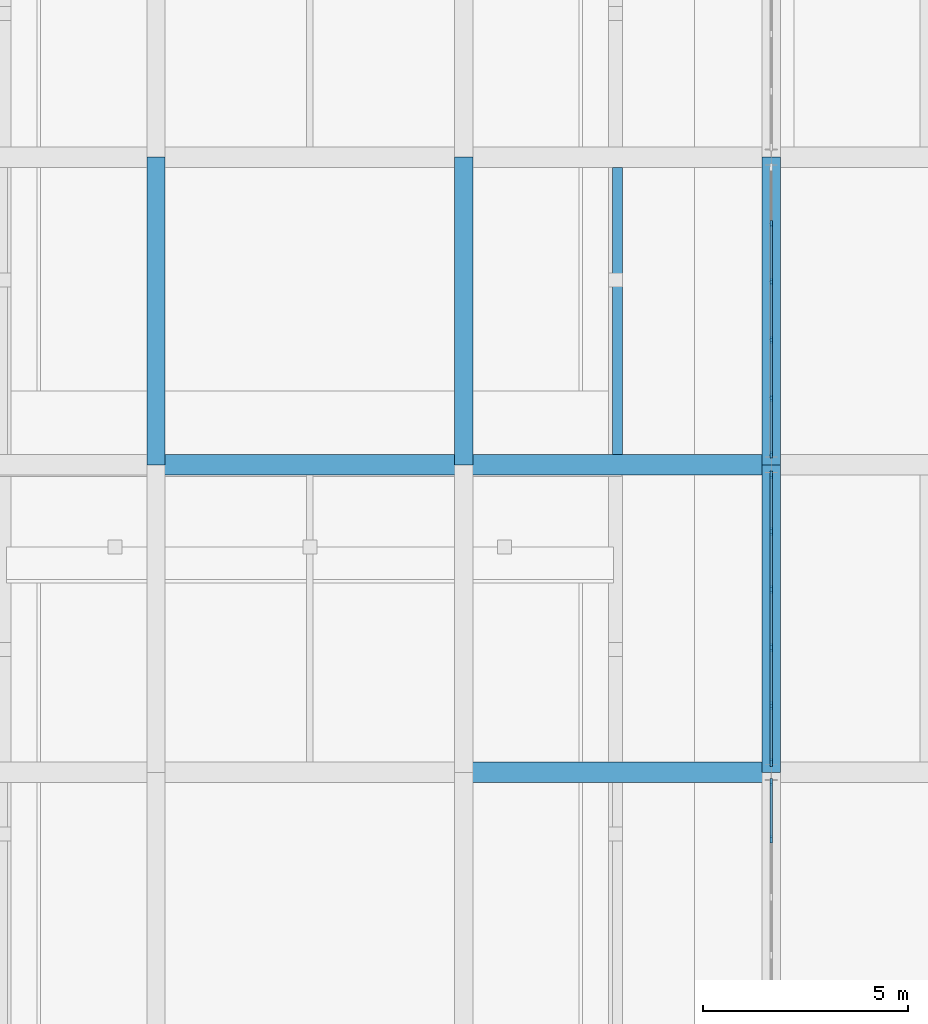
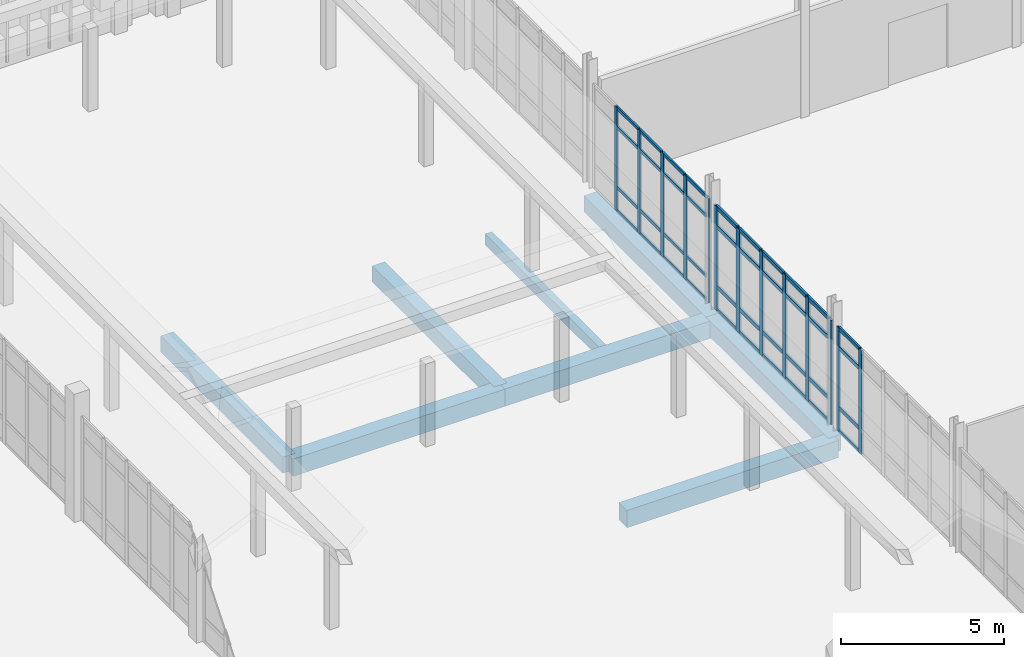
# One storey, part 28 of 125: 53 members, 8 beams, 3 elements without a shape of their own.
"""IFC4 building model written with IfcOpenShell, lengths in metres."""

from ifc_helpers import new_model, si_unit, direction, frame, origin, origin_2d, place, context, subcontext, project, spatial, rectangle, extrude, material, layer, layer_set, material_profile, profile_set, type_object, element, aggregate, save


model = new_model("IFC4")

# Units and contexts
model_context = context("Model", 3, precision=1e-05, world=origin(), true_north=direction((0.0, 1.0)))
body_context = subcontext(model_context, "Body", "Model", "MODEL_VIEW")
ifc_project = project(units=[si_unit("LENGTHUNIT", "METRE"), si_unit("AREAUNIT", "SQUARE_METRE"), si_unit("VOLUMEUNIT", "CUBIC_METRE"), si_unit("PLANEANGLEUNIT", "RADIAN"), si_unit("MASSUNIT", "GRAM", prefix="KILO")], contexts=[model_context])

# Site, building, storey
site_placement = place(None, origin())
site = spatial("IfcSite", under=ifc_project, at=site_placement, CompositionType="ELEMENT")
building_placement = place(site_placement, origin())
building = spatial("IfcBuilding", under=site, at=building_placement, Name="Dalvernix Boulevard General Hospital", CompositionType="ELEMENT")
storey_placement = place(building_placement, origin())
storey = spatial("IfcBuildingStorey", under=building, at=storey_placement, Name="L00", CompositionType="ELEMENT", Elevation=0.0)

# Beams
ifc_material_1 = material(Name="Concrete C35/45", Category="concrete")
ifc_material_profile_1 = material_profile(ifc_material_1, rectangle(XDim=0.5, YDim=0.64990234375, at=origin_2d()), Name="RCB 500x650")
ifc_profile_set_1 = profile_set([ifc_material_profile_1], Name="Concrete C35/45")
beam_type_1 = type_object("IfcBeamType", Name="BM-B-02-I", PredefinedType="BEAM", material=ifc_profile_set_1)
for number, where, z_axis, x_axis, name in (
    (1, (52.5, 46.5, -0.68505859375), (1.0, 0.0, 0.0), (0.0, 1.0, 0.0), "L00 E-W girder G:8-9"),
    (2, (45.0, 54.0, -0.68505859375), (1.0, 0.0, 0.0), (0.0, 1.0, 0.0), "L00 E-W girder H:7-8"),
    (3, (52.5, 54.0, -0.68505859375), (1.0, 0.0, 0.0), (0.0, 1.0, 0.0), "L00 E-W girder H:8-9"),
):
    element("IfcBeam", number, at=place(storey_placement, frame(where, z_axis=z_axis, x_axis=x_axis)), inside=storey, type_object=beam_type_1, Name=name, PredefinedType="BEAM", context=body_context, shape_type="SweptSolid", body=[
        extrude(rectangle(XDim=0.5, YDim=0.64990234375, at=origin_2d()), origin(), (0.0, 0.0, 1.0), 7.5),
    ])
ifc_material_profile_2 = material_profile(ifc_material_1, rectangle(XDim=0.449951171875, YDim=0.60009765625, at=origin_2d()), Name="RCB 450x600")
ifc_profile_set_2 = profile_set([ifc_material_profile_2], Name="Concrete C35/45")
beam_type_2 = type_object("IfcBeamType", Name="BM-B-04-I", PredefinedType="BEAM", material=ifc_profile_set_2)
for number, where, z_axis, x_axis, name in (
    (4, (45.0, 54.0, -0.659912109375), (0.0, 1.0, 0.0), (-1.0, 0.0, 0.0), "L00 N-S girder 7:H-J"),
    (5, (52.5, 54.0, -0.659912109375), (0.0, 1.0, 0.0), (-1.0, 0.0, 0.0), "L00 N-S girder 8:H-J"),
    (6, (60.0, 46.5, -0.659912109375), (0.0, 1.0, 0.0), (-1.0, 0.0, 0.0), "L00 N-S girder 9:G-H"),
    (7, (60.0, 54.0, -0.659912109375), (0.0, 1.0, 0.0), (-1.0, 0.0, 0.0), "L00 N-S girder 9:H-J"),
):
    element("IfcBeam", number, at=place(storey_placement, frame(where, z_axis=z_axis, x_axis=x_axis)), inside=storey, type_object=beam_type_2, Name=name, PredefinedType="BEAM", context=body_context, shape_type="SweptSolid", body=[
        extrude(rectangle(XDim=0.449951171875, YDim=0.60009765625, at=origin_2d()), origin(), (0.0, 0.0, 1.0), 7.5),
    ])
ifc_material_profile_3 = material_profile(ifc_material_1, rectangle(XDim=0.25, YDim=0.39990234375, at=origin_2d()), Name="RCB 250x400")
ifc_profile_set_3 = profile_set([ifc_material_profile_3], Name="Concrete C35/45")
beam_type_3 = type_object("IfcBeamType", Name="BM-JB-02", PredefinedType="JOIST", material=ifc_profile_set_3)
beam_placement = place(storey_placement, frame((56.25, 54.25, -0.56005859375), z_axis=(0.0, 1.0, 0.0), x_axis=(-1.0, 0.0, 0.0)))
element("IfcBeam", 8, at=beam_placement, inside=storey, type_object=beam_type_3, Name="L00 secondary floor beam 8-H", PredefinedType="JOIST", context=body_context, shape_type="SweptSolid", body=[
    extrude(rectangle(XDim=0.25, YDim=0.39990234375, at=origin_2d()), origin(), (0.0, 0.0, 1.0), 7.0),
])

# Curtain wall, members
ifc_material_2 = material(Name="Thermally broken aluminium and solar-control glass curtain wall", Category="aluminium")
ifc_layer_1 = layer(ifc_material_2, 0.159912109375)
ifc_layer_set_1 = layer_set([ifc_layer_1], Name="Thermally broken aluminium and solar-control glass curtain wall (CW-CW-A-71x39)")
curtain_wall_type_1 = type_object("IfcCurtainWallType", Name="CW-CW-A-71x39", PredefinedType="USERDEFINED", material=ifc_layer_set_1)
curtain_wall_1_placement = place(storey_placement, origin())
curtain_wall_1 = element("IfcCurtainWall", 9, at=curtain_wall_1_placement, inside=storey, type_object=curtain_wall_type_1, Name="L00 curtain wall CW-A-71x39 8-7", ObjectType="GLAZED FACADE", PredefinedType="USERDEFINED")
ifc_material_3 = material(Name="Aluminium EN AW-6060", Category="aluminium")
ifc_material_profile_4 = material_profile(ifc_material_3, rectangle(XDim=0.06005859375, YDim=0.159912109375, at=origin_2d()), Name="ALU MULL 60x160")
ifc_profile_set_4 = profile_set([ifc_material_profile_4], Name="Aluminium EN AW-6060")
member_type_1 = type_object("IfcMemberType", Name="MEM-CW-M1", PredefinedType="MULLION", material=ifc_profile_set_4)
member_1_placement = place(storey_placement, frame((60.0, 54.239990234375, 0.0), z_axis=(0.0, 0.0, 1.0), x_axis=(-1.0, 0.0, 0.0)))
member_1 = element("IfcMember", 10, at=member_1_placement, type_object=member_type_1, Name="CW-A-71x39 mullion 1", PredefinedType="MULLION", context=body_context, shape_type="SweptSolid", body=[
    extrude(rectangle(XDim=0.06005859375, YDim=0.159912109375, at=origin_2d()), origin(), (0.0, 0.0, 1.0), 3.89990234375),
])
member_2_placement = place(storey_placement, frame((60.0, 55.6259765625, 0.0), z_axis=(0.0, 0.0, 1.0), x_axis=(-1.0, 0.0, 0.0)))
member_2 = element("IfcMember", 11, at=member_2_placement, type_object=member_type_1, Name="CW-A-71x39 mullion 2", PredefinedType="MULLION", context=body_context, shape_type="SweptSolid", body=[
    extrude(rectangle(XDim=0.06005859375, YDim=0.159912109375, at=origin_2d()), origin(), (0.0, 0.0, 1.0), 3.89990234375),
])
member_3_placement = place(storey_placement, frame((60.0, 57.0419921875, 0.0), z_axis=(0.0, 0.0, 1.0), x_axis=(-1.0, 0.0, 0.0)))
member_3 = element("IfcMember", 12, at=member_3_placement, type_object=member_type_1, Name="CW-A-71x39 mullion 3", PredefinedType="MULLION", context=body_context, shape_type="SweptSolid", body=[
    extrude(rectangle(XDim=0.06005859375, YDim=0.159912109375, at=origin_2d()), origin(), (0.0, 0.0, 1.0), 3.89990234375),
])
member_4_placement = place(storey_placement, frame((60.0, 58.4580078125, 0.0), z_axis=(0.0, 0.0, 1.0), x_axis=(-1.0, 0.0, 0.0)))
member_4 = element("IfcMember", 13, at=member_4_placement, type_object=member_type_1, Name="CW-A-71x39 mullion 4", PredefinedType="MULLION", context=body_context, shape_type="SweptSolid", body=[
    extrude(rectangle(XDim=0.06005859375, YDim=0.159912109375, at=origin_2d()), origin(), (0.0, 0.0, 1.0), 3.89990234375),
])
member_5_placement = place(storey_placement, frame((60.0, 59.8740234375, 0.0), z_axis=(0.0, 0.0, 1.0), x_axis=(-1.0, 0.0, 0.0)))
member_5 = element("IfcMember", 14, at=member_5_placement, type_object=member_type_1, Name="CW-A-71x39 mullion 5", PredefinedType="MULLION", context=body_context, shape_type="SweptSolid", body=[
    extrude(rectangle(XDim=0.06005859375, YDim=0.159912109375, at=origin_2d()), origin(), (0.0, 0.0, 1.0), 3.89990234375),
])

ifc_layer_2 = layer(ifc_material_2, 0.179931640625)
ifc_layer_set_2 = layer_set([ifc_layer_2], Name="Thermally broken aluminium and solar-control glass curtain wall (CW-CW-B-71x39)")
curtain_wall_type_2 = type_object("IfcCurtainWallType", Name="CW-CW-B-71x39", PredefinedType="USERDEFINED", material=ifc_layer_set_2)
curtain_wall_2_placement = place(storey_placement, origin())
curtain_wall_2 = element("IfcCurtainWall", 15, at=curtain_wall_2_placement, inside=storey, type_object=curtain_wall_type_2, Name="L00 curtain wall CW-B-71x39 8-5", ObjectType="GLAZED FACADE", PredefinedType="USERDEFINED")
ifc_material_profile_5 = material_profile(ifc_material_3, rectangle(XDim=0.06494140625, YDim=0.179931640625, at=origin_2d()), Name="ALU MULL 65x180")
ifc_profile_set_5 = profile_set([ifc_material_profile_5], Name="Aluminium EN AW-6060")
member_type_2 = type_object("IfcMemberType", Name="MEM-CW-M2", PredefinedType="MULLION", material=ifc_profile_set_5)
member_6_placement = place(storey_placement, frame((60.0, 44.8740234375, 0.0), z_axis=(0.0, 0.0, 1.0), x_axis=(-1.0, 0.0, 0.0)))
member_6 = element("IfcMember", 16, at=member_6_placement, type_object=member_type_2, Name="CW-B-71x39 mullion 5", PredefinedType="MULLION", context=body_context, shape_type="SweptSolid", body=[
    extrude(rectangle(XDim=0.06494140625, YDim=0.179931640625, at=origin_2d()), origin(), (0.0, 0.0, 1.0), 3.89990234375),
])
member_7_placement = place(storey_placement, frame((60.0, 46.257568359375, 0.0), z_axis=(0.0, 0.0, 1.0), x_axis=(-1.0, 0.0, 0.0)))
member_7 = element("IfcMember", 17, at=member_7_placement, type_object=member_type_2, Name="CW-B-71x39 mullion 6", PredefinedType="MULLION", context=body_context, shape_type="SweptSolid", body=[
    extrude(rectangle(XDim=0.06494140625, YDim=0.179931640625, at=origin_2d()), origin(), (0.0, 0.0, 1.0), 3.89990234375),
])

ifc_layer_3 = layer(ifc_material_2, 0.199951171875)
ifc_layer_set_3 = layer_set([ifc_layer_3], Name="Thermally broken aluminium and solar-control glass curtain wall (CW-CW-C-71x39)")
curtain_wall_type_3 = type_object("IfcCurtainWallType", Name="CW-CW-C-71x39", PredefinedType="USERDEFINED", material=ifc_layer_set_3)
curtain_wall_3_placement = place(storey_placement, origin())
curtain_wall_3 = element("IfcCurtainWall", 18, at=curtain_wall_3_placement, inside=storey, type_object=curtain_wall_type_3, Name="L00 curtain wall CW-C-71x39 8-6", ObjectType="GLAZED FACADE", PredefinedType="USERDEFINED")
ifc_material_profile_6 = material_profile(ifc_material_3, rectangle(XDim=0.070068359375, YDim=0.199951171875, at=origin_2d()), Name="ALU MULL 70x200")
ifc_profile_set_6 = profile_set([ifc_material_profile_6], Name="Aluminium EN AW-6060")
member_type_3 = type_object("IfcMemberType", Name="MEM-CW-M3", PredefinedType="MULLION", material=ifc_profile_set_6)
member_8_placement = place(storey_placement, frame((60.0, 46.7451171875, 0.0), z_axis=(0.0, 0.0, 1.0), x_axis=(-1.0, 0.0, 0.0)))
member_8 = element("IfcMember", 19, at=member_8_placement, type_object=member_type_3, Name="CW-C-71x39 mullion 1", PredefinedType="MULLION", context=body_context, shape_type="SweptSolid", body=[
    extrude(rectangle(XDim=0.070068359375, YDim=0.199951171875, at=origin_2d()), origin(), (0.0, 0.0, 1.0), 3.89990234375),
])
member_9_placement = place(storey_placement, frame((60.0, 48.1259765625, 0.0), z_axis=(0.0, 0.0, 1.0), x_axis=(-1.0, 0.0, 0.0)))
member_9 = element("IfcMember", 20, at=member_9_placement, type_object=member_type_3, Name="CW-C-71x39 mullion 2", PredefinedType="MULLION", context=body_context, shape_type="SweptSolid", body=[
    extrude(rectangle(XDim=0.070068359375, YDim=0.199951171875, at=origin_2d()), origin(), (0.0, 0.0, 1.0), 3.89990234375),
])
member_10_placement = place(storey_placement, frame((60.0, 49.5419921875, 0.0), z_axis=(0.0, 0.0, 1.0), x_axis=(-1.0, 0.0, 0.0)))
member_10 = element("IfcMember", 21, at=member_10_placement, type_object=member_type_3, Name="CW-C-71x39 mullion 3", PredefinedType="MULLION", context=body_context, shape_type="SweptSolid", body=[
    extrude(rectangle(XDim=0.070068359375, YDim=0.199951171875, at=origin_2d()), origin(), (0.0, 0.0, 1.0), 3.89990234375),
])
member_11_placement = place(storey_placement, frame((60.0, 50.9580078125, 0.0), z_axis=(0.0, 0.0, 1.0), x_axis=(-1.0, 0.0, 0.0)))
member_11 = element("IfcMember", 22, at=member_11_placement, type_object=member_type_3, Name="CW-C-71x39 mullion 4", PredefinedType="MULLION", context=body_context, shape_type="SweptSolid", body=[
    extrude(rectangle(XDim=0.070068359375, YDim=0.199951171875, at=origin_2d()), origin(), (0.0, 0.0, 1.0), 3.89990234375),
])
member_12_placement = place(storey_placement, frame((60.0, 52.3740234375, 0.0), z_axis=(0.0, 0.0, 1.0), x_axis=(-1.0, 0.0, 0.0)))
member_12 = element("IfcMember", 23, at=member_12_placement, type_object=member_type_3, Name="CW-C-71x39 mullion 5", PredefinedType="MULLION", context=body_context, shape_type="SweptSolid", body=[
    extrude(rectangle(XDim=0.070068359375, YDim=0.199951171875, at=origin_2d()), origin(), (0.0, 0.0, 1.0), 3.89990234375),
])
member_13_placement = place(storey_placement, frame((60.0, 53.7548828125, 0.0), z_axis=(0.0, 0.0, 1.0), x_axis=(-1.0, 0.0, 0.0)))
member_13 = element("IfcMember", 24, at=member_13_placement, type_object=member_type_3, Name="CW-C-71x39 mullion 6", PredefinedType="MULLION", context=body_context, shape_type="SweptSolid", body=[
    extrude(rectangle(XDim=0.070068359375, YDim=0.199951171875, at=origin_2d()), origin(), (0.0, 0.0, 1.0), 3.89990234375),
])

# Member
ifc_material_profile_7 = material_profile(ifc_material_3, rectangle(XDim=0.06005859375, YDim=0.1201171875, at=origin_2d()), Name="ALU TRAN 60x120")
ifc_profile_set_7 = profile_set([ifc_material_profile_7], Name="Aluminium EN AW-6060")
member_type_4 = type_object("IfcMemberType", Name="MEM-CW-T1", PredefinedType="USERDEFINED", material=ifc_profile_set_7)
member_14_placement = place(storey_placement, frame((60.0, 54.27001953125, 0.030029296875), z_axis=(0.0, 1.0, 0.0), x_axis=(-1.0, 0.0, 0.0)))
member_14 = element("IfcMember", 25, at=member_14_placement, type_object=member_type_4, Name="CW-A-71x39 transom 1.1", ObjectType="TRANSOM", PredefinedType="USERDEFINED", context=body_context, shape_type="SweptSolid", body=[
    extrude(rectangle(XDim=0.06005859375, YDim=0.1201171875, at=origin_2d()), origin(), (0.0, 0.0, 1.0), 1.325927734375),
])

member_15_placement = place(storey_placement, frame((60.0, 54.27001953125, 0.89990234375), z_axis=(0.0, 1.0, 0.0), x_axis=(-1.0, 0.0, 0.0)))
member_15 = element("IfcMember", 26, at=member_15_placement, type_object=member_type_4, Name="CW-A-71x39 transom 1.2", ObjectType="TRANSOM", PredefinedType="USERDEFINED", context=body_context, shape_type="SweptSolid", body=[
    extrude(rectangle(XDim=0.06005859375, YDim=0.1201171875, at=origin_2d()), origin(), (0.0, 0.0, 1.0), 1.325927734375),
])

member_16_placement = place(storey_placement, frame((60.0, 54.27001953125, 3.14990234375), z_axis=(0.0, 1.0, 0.0), x_axis=(-1.0, 0.0, 0.0)))
member_16 = element("IfcMember", 27, at=member_16_placement, type_object=member_type_4, Name="CW-A-71x39 transom 1.3", ObjectType="TRANSOM", PredefinedType="USERDEFINED", context=body_context, shape_type="SweptSolid", body=[
    extrude(rectangle(XDim=0.06005859375, YDim=0.1201171875, at=origin_2d()), origin(), (0.0, 0.0, 1.0), 1.325927734375),
])

member_17_placement = place(storey_placement, frame((60.0, 54.27001953125, 3.8701171875), z_axis=(0.0, 1.0, 0.0), x_axis=(-1.0, 0.0, 0.0)))
member_17 = element("IfcMember", 28, at=member_17_placement, type_object=member_type_4, Name="CW-A-71x39 transom 1.4", ObjectType="TRANSOM", PredefinedType="USERDEFINED", context=body_context, shape_type="SweptSolid", body=[
    extrude(rectangle(XDim=0.06005859375, YDim=0.1201171875, at=origin_2d()), origin(), (0.0, 0.0, 1.0), 1.325927734375),
])

member_18_placement = place(storey_placement, frame((60.0, 55.656005859375, 0.030029296875), z_axis=(0.0, 1.0, 0.0), x_axis=(-1.0, 0.0, 0.0)))
member_18 = element("IfcMember", 29, at=member_18_placement, type_object=member_type_4, Name="CW-A-71x39 transom 2.1", ObjectType="TRANSOM", PredefinedType="USERDEFINED", context=body_context, shape_type="SweptSolid", body=[
    extrude(rectangle(XDim=0.06005859375, YDim=0.1201171875, at=origin_2d()), origin(), (0.0, 0.0, 1.0), 1.35595703125),
])

member_19_placement = place(storey_placement, frame((60.0, 55.656005859375, 0.89990234375), z_axis=(0.0, 1.0, 0.0), x_axis=(-1.0, 0.0, 0.0)))
member_19 = element("IfcMember", 30, at=member_19_placement, type_object=member_type_4, Name="CW-A-71x39 transom 2.2", ObjectType="TRANSOM", PredefinedType="USERDEFINED", context=body_context, shape_type="SweptSolid", body=[
    extrude(rectangle(XDim=0.06005859375, YDim=0.1201171875, at=origin_2d()), origin(), (0.0, 0.0, 1.0), 1.35595703125),
])

member_20_placement = place(storey_placement, frame((60.0, 55.656005859375, 3.14990234375), z_axis=(0.0, 1.0, 0.0), x_axis=(-1.0, 0.0, 0.0)))
member_20 = element("IfcMember", 31, at=member_20_placement, type_object=member_type_4, Name="CW-A-71x39 transom 2.3", ObjectType="TRANSOM", PredefinedType="USERDEFINED", context=body_context, shape_type="SweptSolid", body=[
    extrude(rectangle(XDim=0.06005859375, YDim=0.1201171875, at=origin_2d()), origin(), (0.0, 0.0, 1.0), 1.35595703125),
])

member_21_placement = place(storey_placement, frame((60.0, 55.656005859375, 3.8701171875), z_axis=(0.0, 1.0, 0.0), x_axis=(-1.0, 0.0, 0.0)))
member_21 = element("IfcMember", 32, at=member_21_placement, type_object=member_type_4, Name="CW-A-71x39 transom 2.4", ObjectType="TRANSOM", PredefinedType="USERDEFINED", context=body_context, shape_type="SweptSolid", body=[
    extrude(rectangle(XDim=0.06005859375, YDim=0.1201171875, at=origin_2d()), origin(), (0.0, 0.0, 1.0), 1.35595703125),
])

member_22_placement = place(storey_placement, frame((60.0, 57.072021484375, 0.030029296875), z_axis=(0.0, 1.0, 0.0), x_axis=(-1.0, 0.0, 0.0)))
member_22 = element("IfcMember", 33, at=member_22_placement, type_object=member_type_4, Name="CW-A-71x39 transom 3.1", ObjectType="TRANSOM", PredefinedType="USERDEFINED", context=body_context, shape_type="SweptSolid", body=[
    extrude(rectangle(XDim=0.06005859375, YDim=0.1201171875, at=origin_2d()), origin(), (0.0, 0.0, 1.0), 1.35595703125),
])

member_23_placement = place(storey_placement, frame((60.0, 57.072021484375, 0.89990234375), z_axis=(0.0, 1.0, 0.0), x_axis=(-1.0, 0.0, 0.0)))
member_23 = element("IfcMember", 34, at=member_23_placement, type_object=member_type_4, Name="CW-A-71x39 transom 3.2", ObjectType="TRANSOM", PredefinedType="USERDEFINED", context=body_context, shape_type="SweptSolid", body=[
    extrude(rectangle(XDim=0.06005859375, YDim=0.1201171875, at=origin_2d()), origin(), (0.0, 0.0, 1.0), 1.35595703125),
])

member_24_placement = place(storey_placement, frame((60.0, 57.072021484375, 3.14990234375), z_axis=(0.0, 1.0, 0.0), x_axis=(-1.0, 0.0, 0.0)))
member_24 = element("IfcMember", 35, at=member_24_placement, type_object=member_type_4, Name="CW-A-71x39 transom 3.3", ObjectType="TRANSOM", PredefinedType="USERDEFINED", context=body_context, shape_type="SweptSolid", body=[
    extrude(rectangle(XDim=0.06005859375, YDim=0.1201171875, at=origin_2d()), origin(), (0.0, 0.0, 1.0), 1.35595703125),
])

member_25_placement = place(storey_placement, frame((60.0, 57.072021484375, 3.8701171875), z_axis=(0.0, 1.0, 0.0), x_axis=(-1.0, 0.0, 0.0)))
member_25 = element("IfcMember", 36, at=member_25_placement, type_object=member_type_4, Name="CW-A-71x39 transom 3.4", ObjectType="TRANSOM", PredefinedType="USERDEFINED", context=body_context, shape_type="SweptSolid", body=[
    extrude(rectangle(XDim=0.06005859375, YDim=0.1201171875, at=origin_2d()), origin(), (0.0, 0.0, 1.0), 1.35595703125),
])

member_26_placement = place(storey_placement, frame((60.0, 58.488037109375, 0.030029296875), z_axis=(0.0, 1.0, 0.0), x_axis=(-1.0, 0.0, 0.0)))
member_26 = element("IfcMember", 37, at=member_26_placement, type_object=member_type_4, Name="CW-A-71x39 transom 4.1", ObjectType="TRANSOM", PredefinedType="USERDEFINED", context=body_context, shape_type="SweptSolid", body=[
    extrude(rectangle(XDim=0.06005859375, YDim=0.1201171875, at=origin_2d()), origin(), (0.0, 0.0, 1.0), 1.35595703125),
])

member_27_placement = place(storey_placement, frame((60.0, 58.488037109375, 0.89990234375), z_axis=(0.0, 1.0, 0.0), x_axis=(-1.0, 0.0, 0.0)))
member_27 = element("IfcMember", 38, at=member_27_placement, type_object=member_type_4, Name="CW-A-71x39 transom 4.2", ObjectType="TRANSOM", PredefinedType="USERDEFINED", context=body_context, shape_type="SweptSolid", body=[
    extrude(rectangle(XDim=0.06005859375, YDim=0.1201171875, at=origin_2d()), origin(), (0.0, 0.0, 1.0), 1.35595703125),
])

member_28_placement = place(storey_placement, frame((60.0, 58.488037109375, 3.14990234375), z_axis=(0.0, 1.0, 0.0), x_axis=(-1.0, 0.0, 0.0)))
member_28 = element("IfcMember", 39, at=member_28_placement, type_object=member_type_4, Name="CW-A-71x39 transom 4.3", ObjectType="TRANSOM", PredefinedType="USERDEFINED", context=body_context, shape_type="SweptSolid", body=[
    extrude(rectangle(XDim=0.06005859375, YDim=0.1201171875, at=origin_2d()), origin(), (0.0, 0.0, 1.0), 1.35595703125),
])

member_29_placement = place(storey_placement, frame((60.0, 58.488037109375, 3.8701171875), z_axis=(0.0, 1.0, 0.0), x_axis=(-1.0, 0.0, 0.0)))
member_29 = element("IfcMember", 40, at=member_29_placement, type_object=member_type_4, Name="CW-A-71x39 transom 4.4", ObjectType="TRANSOM", PredefinedType="USERDEFINED", context=body_context, shape_type="SweptSolid", body=[
    extrude(rectangle(XDim=0.06005859375, YDim=0.1201171875, at=origin_2d()), origin(), (0.0, 0.0, 1.0), 1.35595703125),
])

aggregate(curtain_wall_1, [member_1, member_2, member_3, member_4, member_5, member_14, member_15, member_16, member_17, member_18, member_19, member_20, member_21, member_22, member_23, member_24, member_25, member_26, member_27, member_28, member_29])

ifc_material_profile_8 = material_profile(ifc_material_3, rectangle(XDim=0.06494140625, YDim=0.139892578125, at=origin_2d()), Name="ALU TRAN 65x140")
ifc_profile_set_8 = profile_set([ifc_material_profile_8], Name="Aluminium EN AW-6060")
member_type_5 = type_object("IfcMemberType", Name="MEM-CW-T2", PredefinedType="USERDEFINED", material=ifc_profile_set_8)
member_30_placement = place(storey_placement, frame((60.0, 44.906494140625, 0.032470703125), z_axis=(0.0, 1.0, 0.0), x_axis=(-1.0, 0.0, 0.0)))
member_30 = element("IfcMember", 41, at=member_30_placement, type_object=member_type_5, Name="CW-B-71x39 transom 5.1", ObjectType="TRANSOM", PredefinedType="USERDEFINED", context=body_context, shape_type="SweptSolid", body=[
    extrude(rectangle(XDim=0.06494140625, YDim=0.139892578125, at=origin_2d()), origin(), (0.0, 0.0, 1.0), 1.318603515625),
])

member_31_placement = place(storey_placement, frame((60.0, 44.906494140625, 0.89990234375), z_axis=(0.0, 1.0, 0.0), x_axis=(-1.0, 0.0, 0.0)))
member_31 = element("IfcMember", 42, at=member_31_placement, type_object=member_type_5, Name="CW-B-71x39 transom 5.2", ObjectType="TRANSOM", PredefinedType="USERDEFINED", context=body_context, shape_type="SweptSolid", body=[
    extrude(rectangle(XDim=0.06494140625, YDim=0.139892578125, at=origin_2d()), origin(), (0.0, 0.0, 1.0), 1.318603515625),
])

member_32_placement = place(storey_placement, frame((60.0, 44.906494140625, 3.14990234375), z_axis=(0.0, 1.0, 0.0), x_axis=(-1.0, 0.0, 0.0)))
member_32 = element("IfcMember", 43, at=member_32_placement, type_object=member_type_5, Name="CW-B-71x39 transom 5.3", ObjectType="TRANSOM", PredefinedType="USERDEFINED", context=body_context, shape_type="SweptSolid", body=[
    extrude(rectangle(XDim=0.06494140625, YDim=0.139892578125, at=origin_2d()), origin(), (0.0, 0.0, 1.0), 1.318603515625),
])

member_33_placement = place(storey_placement, frame((60.0, 44.906494140625, 3.867431640625), z_axis=(0.0, 1.0, 0.0), x_axis=(-1.0, 0.0, 0.0)))
member_33 = element("IfcMember", 44, at=member_33_placement, type_object=member_type_5, Name="CW-B-71x39 transom 5.4", ObjectType="TRANSOM", PredefinedType="USERDEFINED", context=body_context, shape_type="SweptSolid", body=[
    extrude(rectangle(XDim=0.06494140625, YDim=0.139892578125, at=origin_2d()), origin(), (0.0, 0.0, 1.0), 1.318603515625),
])

aggregate(curtain_wall_2, [member_6, member_7, member_30, member_31, member_32, member_33])

ifc_material_profile_9 = material_profile(ifc_material_3, rectangle(XDim=0.070068359375, YDim=0.14990234375, at=origin_2d()), Name="ALU TRAN 70x150")
ifc_profile_set_9 = profile_set([ifc_material_profile_9], Name="Aluminium EN AW-6060")
member_type_6 = type_object("IfcMemberType", Name="MEM-CW-T3", PredefinedType="USERDEFINED", material=ifc_profile_set_9)
member_34_placement = place(storey_placement, frame((60.0, 46.780029296875, 0.034912109375), z_axis=(0.0, 1.0, 0.0), x_axis=(-1.0, 0.0, 0.0)))
member_34 = element("IfcMember", 45, at=member_34_placement, type_object=member_type_6, Name="CW-C-71x39 transom 1.1", ObjectType="TRANSOM", PredefinedType="USERDEFINED", context=body_context, shape_type="SweptSolid", body=[
    extrude(rectangle(XDim=0.070068359375, YDim=0.14990234375, at=origin_2d()), origin(), (0.0, 0.0, 1.0), 1.31103515625),
])

member_35_placement = place(storey_placement, frame((60.0, 46.780029296875, 0.89990234375), z_axis=(0.0, 1.0, 0.0), x_axis=(-1.0, 0.0, 0.0)))
member_35 = element("IfcMember", 46, at=member_35_placement, type_object=member_type_6, Name="CW-C-71x39 transom 1.2", ObjectType="TRANSOM", PredefinedType="USERDEFINED", context=body_context, shape_type="SweptSolid", body=[
    extrude(rectangle(XDim=0.070068359375, YDim=0.14990234375, at=origin_2d()), origin(), (0.0, 0.0, 1.0), 1.31103515625),
])

member_36_placement = place(storey_placement, frame((60.0, 46.780029296875, 3.14990234375), z_axis=(0.0, 1.0, 0.0), x_axis=(-1.0, 0.0, 0.0)))
member_36 = element("IfcMember", 47, at=member_36_placement, type_object=member_type_6, Name="CW-C-71x39 transom 1.3", ObjectType="TRANSOM", PredefinedType="USERDEFINED", context=body_context, shape_type="SweptSolid", body=[
    extrude(rectangle(XDim=0.070068359375, YDim=0.14990234375, at=origin_2d()), origin(), (0.0, 0.0, 1.0), 1.31103515625),
])

member_37_placement = place(storey_placement, frame((60.0, 46.780029296875, 3.864990234375), z_axis=(0.0, 1.0, 0.0), x_axis=(-1.0, 0.0, 0.0)))
member_37 = element("IfcMember", 48, at=member_37_placement, type_object=member_type_6, Name="CW-C-71x39 transom 1.4", ObjectType="TRANSOM", PredefinedType="USERDEFINED", context=body_context, shape_type="SweptSolid", body=[
    extrude(rectangle(XDim=0.070068359375, YDim=0.14990234375, at=origin_2d()), origin(), (0.0, 0.0, 1.0), 1.31103515625),
])

member_38_placement = place(storey_placement, frame((60.0, 48.160888671875, 0.034912109375), z_axis=(0.0, 1.0, 0.0), x_axis=(-1.0, 0.0, 0.0)))
member_38 = element("IfcMember", 49, at=member_38_placement, type_object=member_type_6, Name="CW-C-71x39 transom 2.1", ObjectType="TRANSOM", PredefinedType="USERDEFINED", context=body_context, shape_type="SweptSolid", body=[
    extrude(rectangle(XDim=0.070068359375, YDim=0.14990234375, at=origin_2d()), origin(), (0.0, 0.0, 1.0), 1.34619140625),
])

member_39_placement = place(storey_placement, frame((60.0, 48.160888671875, 0.89990234375), z_axis=(0.0, 1.0, 0.0), x_axis=(-1.0, 0.0, 0.0)))
member_39 = element("IfcMember", 50, at=member_39_placement, type_object=member_type_6, Name="CW-C-71x39 transom 2.2", ObjectType="TRANSOM", PredefinedType="USERDEFINED", context=body_context, shape_type="SweptSolid", body=[
    extrude(rectangle(XDim=0.070068359375, YDim=0.14990234375, at=origin_2d()), origin(), (0.0, 0.0, 1.0), 1.34619140625),
])

member_40_placement = place(storey_placement, frame((60.0, 48.160888671875, 3.14990234375), z_axis=(0.0, 1.0, 0.0), x_axis=(-1.0, 0.0, 0.0)))
member_40 = element("IfcMember", 51, at=member_40_placement, type_object=member_type_6, Name="CW-C-71x39 transom 2.3", ObjectType="TRANSOM", PredefinedType="USERDEFINED", context=body_context, shape_type="SweptSolid", body=[
    extrude(rectangle(XDim=0.070068359375, YDim=0.14990234375, at=origin_2d()), origin(), (0.0, 0.0, 1.0), 1.34619140625),
])

member_41_placement = place(storey_placement, frame((60.0, 48.160888671875, 3.864990234375), z_axis=(0.0, 1.0, 0.0), x_axis=(-1.0, 0.0, 0.0)))
member_41 = element("IfcMember", 52, at=member_41_placement, type_object=member_type_6, Name="CW-C-71x39 transom 2.4", ObjectType="TRANSOM", PredefinedType="USERDEFINED", context=body_context, shape_type="SweptSolid", body=[
    extrude(rectangle(XDim=0.070068359375, YDim=0.14990234375, at=origin_2d()), origin(), (0.0, 0.0, 1.0), 1.34619140625),
])

member_42_placement = place(storey_placement, frame((60.0, 49.576904296875, 0.034912109375), z_axis=(0.0, 1.0, 0.0), x_axis=(-1.0, 0.0, 0.0)))
member_42 = element("IfcMember", 53, at=member_42_placement, type_object=member_type_6, Name="CW-C-71x39 transom 3.1", ObjectType="TRANSOM", PredefinedType="USERDEFINED", context=body_context, shape_type="SweptSolid", body=[
    extrude(rectangle(XDim=0.070068359375, YDim=0.14990234375, at=origin_2d()), origin(), (0.0, 0.0, 1.0), 1.34619140625),
])

member_43_placement = place(storey_placement, frame((60.0, 49.576904296875, 0.89990234375), z_axis=(0.0, 1.0, 0.0), x_axis=(-1.0, 0.0, 0.0)))
member_43 = element("IfcMember", 54, at=member_43_placement, type_object=member_type_6, Name="CW-C-71x39 transom 3.2", ObjectType="TRANSOM", PredefinedType="USERDEFINED", context=body_context, shape_type="SweptSolid", body=[
    extrude(rectangle(XDim=0.070068359375, YDim=0.14990234375, at=origin_2d()), origin(), (0.0, 0.0, 1.0), 1.34619140625),
])

member_44_placement = place(storey_placement, frame((60.0, 49.576904296875, 3.14990234375), z_axis=(0.0, 1.0, 0.0), x_axis=(-1.0, 0.0, 0.0)))
member_44 = element("IfcMember", 55, at=member_44_placement, type_object=member_type_6, Name="CW-C-71x39 transom 3.3", ObjectType="TRANSOM", PredefinedType="USERDEFINED", context=body_context, shape_type="SweptSolid", body=[
    extrude(rectangle(XDim=0.070068359375, YDim=0.14990234375, at=origin_2d()), origin(), (0.0, 0.0, 1.0), 1.34619140625),
])

member_45_placement = place(storey_placement, frame((60.0, 49.576904296875, 3.864990234375), z_axis=(0.0, 1.0, 0.0), x_axis=(-1.0, 0.0, 0.0)))
member_45 = element("IfcMember", 56, at=member_45_placement, type_object=member_type_6, Name="CW-C-71x39 transom 3.4", ObjectType="TRANSOM", PredefinedType="USERDEFINED", context=body_context, shape_type="SweptSolid", body=[
    extrude(rectangle(XDim=0.070068359375, YDim=0.14990234375, at=origin_2d()), origin(), (0.0, 0.0, 1.0), 1.34619140625),
])

member_46_placement = place(storey_placement, frame((60.0, 50.992919921875, 0.034912109375), z_axis=(0.0, 1.0, 0.0), x_axis=(-1.0, 0.0, 0.0)))
member_46 = element("IfcMember", 57, at=member_46_placement, type_object=member_type_6, Name="CW-C-71x39 transom 4.1", ObjectType="TRANSOM", PredefinedType="USERDEFINED", context=body_context, shape_type="SweptSolid", body=[
    extrude(rectangle(XDim=0.070068359375, YDim=0.14990234375, at=origin_2d()), origin(), (0.0, 0.0, 1.0), 1.34619140625),
])

member_47_placement = place(storey_placement, frame((60.0, 50.992919921875, 0.89990234375), z_axis=(0.0, 1.0, 0.0), x_axis=(-1.0, 0.0, 0.0)))
member_47 = element("IfcMember", 58, at=member_47_placement, type_object=member_type_6, Name="CW-C-71x39 transom 4.2", ObjectType="TRANSOM", PredefinedType="USERDEFINED", context=body_context, shape_type="SweptSolid", body=[
    extrude(rectangle(XDim=0.070068359375, YDim=0.14990234375, at=origin_2d()), origin(), (0.0, 0.0, 1.0), 1.34619140625),
])

member_48_placement = place(storey_placement, frame((60.0, 50.992919921875, 3.14990234375), z_axis=(0.0, 1.0, 0.0), x_axis=(-1.0, 0.0, 0.0)))
member_48 = element("IfcMember", 59, at=member_48_placement, type_object=member_type_6, Name="CW-C-71x39 transom 4.3", ObjectType="TRANSOM", PredefinedType="USERDEFINED", context=body_context, shape_type="SweptSolid", body=[
    extrude(rectangle(XDim=0.070068359375, YDim=0.14990234375, at=origin_2d()), origin(), (0.0, 0.0, 1.0), 1.34619140625),
])

member_49_placement = place(storey_placement, frame((60.0, 50.992919921875, 3.864990234375), z_axis=(0.0, 1.0, 0.0), x_axis=(-1.0, 0.0, 0.0)))
member_49 = element("IfcMember", 60, at=member_49_placement, type_object=member_type_6, Name="CW-C-71x39 transom 4.4", ObjectType="TRANSOM", PredefinedType="USERDEFINED", context=body_context, shape_type="SweptSolid", body=[
    extrude(rectangle(XDim=0.070068359375, YDim=0.14990234375, at=origin_2d()), origin(), (0.0, 0.0, 1.0), 1.34619140625),
])

member_50_placement = place(storey_placement, frame((60.0, 52.408935546875, 0.034912109375), z_axis=(0.0, 1.0, 0.0), x_axis=(-1.0, 0.0, 0.0)))
member_50 = element("IfcMember", 61, at=member_50_placement, type_object=member_type_6, Name="CW-C-71x39 transom 5.1", ObjectType="TRANSOM", PredefinedType="USERDEFINED", context=body_context, shape_type="SweptSolid", body=[
    extrude(rectangle(XDim=0.070068359375, YDim=0.14990234375, at=origin_2d()), origin(), (0.0, 0.0, 1.0), 1.31103515625),
])

member_51_placement = place(storey_placement, frame((60.0, 52.408935546875, 0.89990234375), z_axis=(0.0, 1.0, 0.0), x_axis=(-1.0, 0.0, 0.0)))
member_51 = element("IfcMember", 62, at=member_51_placement, type_object=member_type_6, Name="CW-C-71x39 transom 5.2", ObjectType="TRANSOM", PredefinedType="USERDEFINED", context=body_context, shape_type="SweptSolid", body=[
    extrude(rectangle(XDim=0.070068359375, YDim=0.14990234375, at=origin_2d()), origin(), (0.0, 0.0, 1.0), 1.31103515625),
])

member_52_placement = place(storey_placement, frame((60.0, 52.408935546875, 3.14990234375), z_axis=(0.0, 1.0, 0.0), x_axis=(-1.0, 0.0, 0.0)))
member_52 = element("IfcMember", 63, at=member_52_placement, type_object=member_type_6, Name="CW-C-71x39 transom 5.3", ObjectType="TRANSOM", PredefinedType="USERDEFINED", context=body_context, shape_type="SweptSolid", body=[
    extrude(rectangle(XDim=0.070068359375, YDim=0.14990234375, at=origin_2d()), origin(), (0.0, 0.0, 1.0), 1.31103515625),
])

member_53_placement = place(storey_placement, frame((60.0, 52.408935546875, 3.864990234375), z_axis=(0.0, 1.0, 0.0), x_axis=(-1.0, 0.0, 0.0)))
member_53 = element("IfcMember", 64, at=member_53_placement, type_object=member_type_6, Name="CW-C-71x39 transom 5.4", ObjectType="TRANSOM", PredefinedType="USERDEFINED", context=body_context, shape_type="SweptSolid", body=[
    extrude(rectangle(XDim=0.070068359375, YDim=0.14990234375, at=origin_2d()), origin(), (0.0, 0.0, 1.0), 1.31103515625),
])

aggregate(curtain_wall_3, [member_8, member_9, member_10, member_11, member_12, member_13, member_34, member_35, member_36, member_37, member_38, member_39, member_40, member_41, member_42, member_43, member_44, member_45, member_46, member_47, member_48, member_49, member_50, member_51, member_52, member_53])

save(model, "model.ifc")
